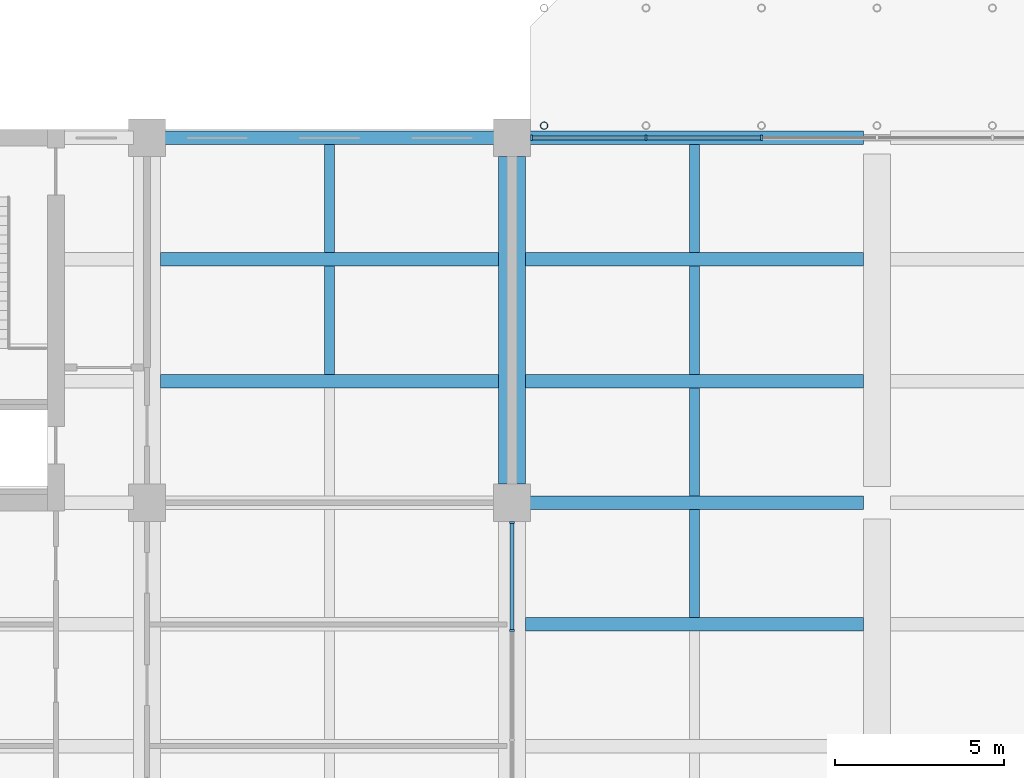
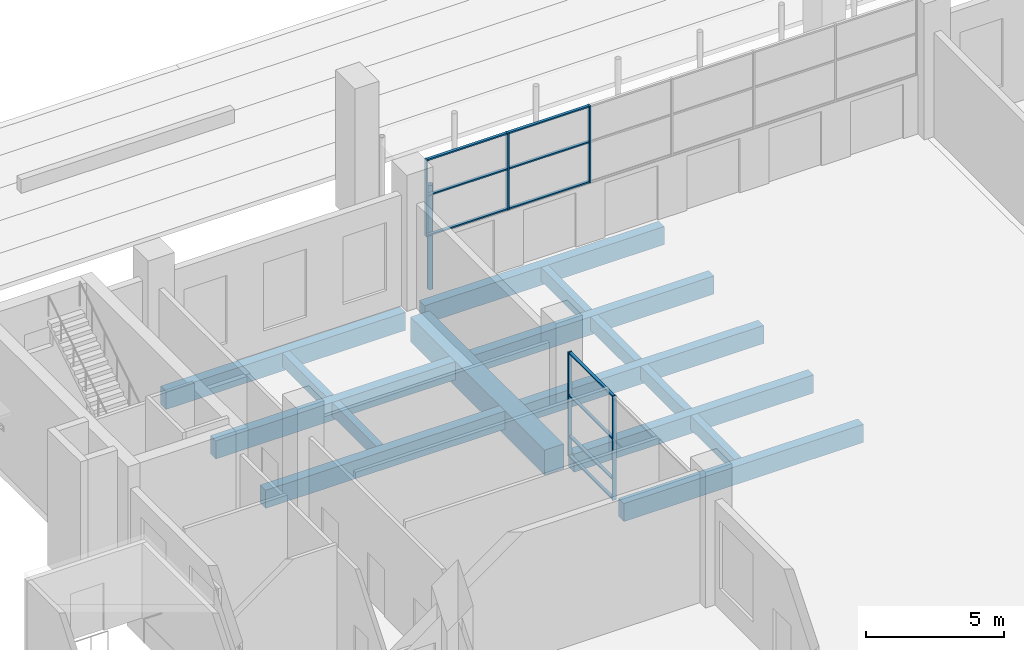
# One storey, part 34 of 71: 16 members, 15 beams, 2 elements without a shape of their own.
"""IFC4 building model written with IfcOpenShell, lengths in metres."""

from ifc_helpers import new_model, si_unit, direction, frame, origin, origin_2d, place, context, subcontext, project, spatial, rectangle, hollow_circle, extrude, material, layer, layer_set, material_profile, profile_set, type_object, element, aggregate, save


model = new_model("IFC4")

# Units and contexts
model_context = context("Model", 3, precision=1e-05, world=origin(), true_north=direction((0.0, 1.0)))
body_context = subcontext(model_context, "Body", "Model", "MODEL_VIEW")
ifc_project = project(units=[si_unit("LENGTHUNIT", "METRE"), si_unit("AREAUNIT", "SQUARE_METRE"), si_unit("VOLUMEUNIT", "CUBIC_METRE"), si_unit("PLANEANGLEUNIT", "RADIAN"), si_unit("MASSUNIT", "GRAM", prefix="KILO")], contexts=[model_context])

# Site, building, storey
site_placement = place(None, origin())
site = spatial("IfcSite", under=ifc_project, at=site_placement, CompositionType="ELEMENT")
building_placement = place(site_placement, origin())
building = spatial("IfcBuilding", under=site, at=building_placement, Name="Basin Gate Institute", CompositionType="ELEMENT")
storey_placement = place(building_placement, origin())
storey = spatial("IfcBuildingStorey", under=building, at=storey_placement, Name="L00", CompositionType="ELEMENT", Elevation=0.0)

# Curtain wall, members
ifc_material_1 = material(Name="Aluminium and glass curtain wall", Category="aluminium")
ifc_layer_1 = layer(ifc_material_1, 0.14990234375)
ifc_layer_set_1 = layer_set([ifc_layer_1], Name="Atrium curtain wall CW81")
curtain_wall_type_1 = type_object("IfcCurtainWallType", Name="Atrium curtain wall CW81", PredefinedType="NOTDEFINED", material=ifc_layer_set_1)
curtain_wall_1_placement = place(storey_placement, origin())
curtain_wall_1 = element("IfcCurtainWall", 1, at=curtain_wall_1_placement, inside=storey, type_object=curtain_wall_type_1, material=ifc_layer_set_1, Name="Atrium end screen N L00", PredefinedType="NOTDEFINED")
ifc_material_2 = material(Name="Aluminium mullion", Category="aluminium")
ifc_material_profile_1 = material_profile(ifc_material_2, rectangle(XDim=0.159912109375, YDim=0.06005859375, at=origin_2d()), Name="Atrium mullion MU81 160 x 60")
ifc_profile_set_1 = profile_set([ifc_material_profile_1], Name="Aluminium mullion")
member_type_1 = type_object("IfcMemberType", Name="Atrium mullion MU81", PredefinedType="MULLION", material=ifc_profile_set_1)
member_1_placement = place(storey_placement, frame((79.780029296875, 99.89990234375, 2.60009765625), z_axis=(0.0, 0.0, 1.0), x_axis=(0.0, 1.0, 0.0)))
member_1 = element("IfcMember", 2, at=member_1_placement, type_object=member_type_1, material=ifc_profile_set_1, Name="CW81 mullion 1", PredefinedType="MULLION", context=body_context, shape_type="SweptSolid", body=[
    extrude(rectangle(XDim=0.159912109375, YDim=0.06005859375, at=origin_2d()), origin(), (0.0, 0.0, 1.0), 3.39990234375),
])
member_2_placement = place(storey_placement, frame((83.166748046875, 99.89990234375, 2.60009765625), z_axis=(0.0, 0.0, 1.0), x_axis=(0.0, 1.0, 0.0)))
member_2 = element("IfcMember", 3, at=member_2_placement, type_object=member_type_1, material=ifc_profile_set_1, Name="CW81 mullion 2", PredefinedType="MULLION", context=body_context, shape_type="SweptSolid", body=[
    extrude(rectangle(XDim=0.159912109375, YDim=0.06005859375, at=origin_2d()), origin(), (0.0, 0.0, 1.0), 3.39990234375),
])
member_3_placement = place(storey_placement, frame((86.583251953125, 99.89990234375, 2.60009765625), z_axis=(0.0, 0.0, 1.0), x_axis=(0.0, 1.0, 0.0)))
member_3 = element("IfcMember", 4, at=member_3_placement, type_object=member_type_1, material=ifc_profile_set_1, Name="CW81 mullion 3", PredefinedType="MULLION", context=body_context, shape_type="SweptSolid", body=[
    extrude(rectangle(XDim=0.159912109375, YDim=0.06005859375, at=origin_2d()), origin(), (0.0, 0.0, 1.0), 3.39990234375),
])
ifc_material_3 = material(Name="Aluminium transom", Category="aluminium")
ifc_material_profile_2 = material_profile(ifc_material_3, rectangle(XDim=0.1201171875, YDim=0.06005859375, at=origin_2d()), Name="Atrium transom TR81 120 x 60")
ifc_profile_set_2 = profile_set([ifc_material_profile_2], Name="Aluminium transom")
member_type_2 = type_object("IfcMemberType", Name="Atrium transom TR81", PredefinedType="USERDEFINED", material=ifc_profile_set_2)
member_4_placement = place(storey_placement, frame((79.81005859375, 99.89990234375, 2.6298828125), z_axis=(1.0, 0.0, 0.0), x_axis=(0.0, 1.0, 0.0)))
member_4 = element("IfcMember", 5, at=member_4_placement, type_object=member_type_2, material=ifc_profile_set_2, Name="CW81 transom 1.1", ObjectType="TRANSOM", PredefinedType="USERDEFINED", context=body_context, shape_type="SweptSolid", body=[
    extrude(rectangle(XDim=0.1201171875, YDim=0.06005859375, at=origin_2d()), origin(), (0.0, 0.0, 1.0), 3.32666015625),
])
member_5_placement = place(storey_placement, frame((79.81005859375, 99.89990234375, 4.39990234375), z_axis=(1.0, 0.0, 0.0), x_axis=(0.0, 1.0, 0.0)))
member_5 = element("IfcMember", 6, at=member_5_placement, type_object=member_type_2, material=ifc_profile_set_2, Name="CW81 transom 1.2", ObjectType="TRANSOM", PredefinedType="USERDEFINED", context=body_context, shape_type="SweptSolid", body=[
    extrude(rectangle(XDim=0.1201171875, YDim=0.06005859375, at=origin_2d()), origin(), (0.0, 0.0, 1.0), 3.32666015625),
])
member_6_placement = place(storey_placement, frame((79.81005859375, 99.89990234375, 5.969970703125), z_axis=(1.0, 0.0, 0.0), x_axis=(0.0, 1.0, 0.0)))
member_6 = element("IfcMember", 7, at=member_6_placement, type_object=member_type_2, material=ifc_profile_set_2, Name="CW81 transom 1.3", ObjectType="TRANSOM", PredefinedType="USERDEFINED", context=body_context, shape_type="SweptSolid", body=[
    extrude(rectangle(XDim=0.1201171875, YDim=0.06005859375, at=origin_2d()), origin(), (0.0, 0.0, 1.0), 3.32666015625),
])
member_7_placement = place(storey_placement, frame((83.19677734375, 99.89990234375, 2.6298828125), z_axis=(1.0, 0.0, 0.0), x_axis=(0.0, 1.0, 0.0)))
member_7 = element("IfcMember", 8, at=member_7_placement, type_object=member_type_2, material=ifc_profile_set_2, Name="CW81 transom 2.1", ObjectType="TRANSOM", PredefinedType="USERDEFINED", context=body_context, shape_type="SweptSolid", body=[
    extrude(rectangle(XDim=0.1201171875, YDim=0.06005859375, at=origin_2d()), origin(), (0.0, 0.0, 1.0), 3.3564453125),
])
member_8_placement = place(storey_placement, frame((83.19677734375, 99.89990234375, 4.39990234375), z_axis=(1.0, 0.0, 0.0), x_axis=(0.0, 1.0, 0.0)))
member_8 = element("IfcMember", 9, at=member_8_placement, type_object=member_type_2, material=ifc_profile_set_2, Name="CW81 transom 2.2", ObjectType="TRANSOM", PredefinedType="USERDEFINED", context=body_context, shape_type="SweptSolid", body=[
    extrude(rectangle(XDim=0.1201171875, YDim=0.06005859375, at=origin_2d()), origin(), (0.0, 0.0, 1.0), 3.3564453125),
])
member_9_placement = place(storey_placement, frame((83.19677734375, 99.89990234375, 5.969970703125), z_axis=(1.0, 0.0, 0.0), x_axis=(0.0, 1.0, 0.0)))
member_9 = element("IfcMember", 10, at=member_9_placement, type_object=member_type_2, material=ifc_profile_set_2, Name="CW81 transom 2.3", ObjectType="TRANSOM", PredefinedType="USERDEFINED", context=body_context, shape_type="SweptSolid", body=[
    extrude(rectangle(XDim=0.1201171875, YDim=0.06005859375, at=origin_2d()), origin(), (0.0, 0.0, 1.0), 3.3564453125),
])
aggregate(curtain_wall_1, [member_1, member_2, member_3, member_4, member_5, member_6, member_7, member_8, member_9])

# Beams
ifc_material_4 = material(Name="Concrete 40 MPa", Category="concrete")
ifc_material_profile_3 = material_profile(ifc_material_4, rectangle(XDim=0.39990234375, YDim=0.800048828125, at=origin_2d()), Name="Beam B2 400 x 800")
ifc_profile_set_3 = profile_set([ifc_material_profile_3], Name="Concrete 40 MPa")
beam_type_1 = type_object("IfcBeamType", Name="Beam B2 R180", PredefinedType="BEAM", material=ifc_profile_set_3)
for number, where, z_axis, x_axis, name in (
    (11, (68.800048828125, 92.699951171875, -0.699951171875), (1.0, 0.0, 0.0), (0.0, 1.0, 0.0), "BEAM/L00/W/EW/17"),
    (12, (68.800048828125, 96.300048828125, -0.699951171875), (1.0, 0.0, 0.0), (0.0, 1.0, 0.0), "BEAM/L00/W/EW/18"),
    (13, (68.800048828125, 99.89990234375, -0.699951171875), (1.0, 0.0, 0.0), (0.0, 1.0, 0.0), "BEAM/L00/W/EW/19"),
    (14, (79.60009765625, 85.5, -0.699951171875), (1.0, 0.0, 0.0), (0.0, 1.0, 0.0), "BEAM/L00/CAN/W/15"),
    (15, (79.60009765625, 89.10009765625, -0.699951171875), (1.0, 0.0, 0.0), (0.0, 1.0, 0.0), "BEAM/L00/CAN/W/16"),
    (16, (79.60009765625, 92.699951171875, -0.699951171875), (1.0, 0.0, 0.0), (0.0, 1.0, 0.0), "BEAM/L00/CAN/W/17"),
    (17, (79.60009765625, 96.300048828125, -0.699951171875), (1.0, 0.0, 0.0), (0.0, 1.0, 0.0), "BEAM/L00/CAN/W/18"),
    (18, (79.60009765625, 99.89990234375, -0.699951171875), (1.0, 0.0, 0.0), (0.0, 1.0, 0.0), "BEAM/L00/CAN/W/19"),
):
    element("IfcBeam", number, at=place(storey_placement, frame(where, z_axis=z_axis, x_axis=x_axis)), inside=storey, type_object=beam_type_1, material=ifc_profile_set_3, Name=name, PredefinedType="BEAM", context=body_context, shape_type="SweptSolid", body=[
        extrude(rectangle(XDim=0.39990234375, YDim=0.800048828125, at=origin_2d()), origin(), (0.0, 0.0, 1.0), 10.0),
    ])

# Member
ifc_material_5 = material(Name="Structural steel SN490", Category="steel")
ifc_material_profile_4 = material_profile(ifc_material_5, hollow_circle(Radius=0.109619140625, WallThickness=0.008056640625, at=origin_2d()), Name="CHS219x8")
ifc_profile_set_4 = profile_set([ifc_material_profile_4], Name="Structural steel SN490")
member_type_3 = type_object("IfcMemberType", Name="Canopy post TD3", PredefinedType="POST", material=ifc_profile_set_4)
member_10_placement = place(storey_placement, frame((80.14990234375, 100.259521484375, -0.050048828125), z_axis=(0.0, 0.0, 1.0), x_axis=(1.0, 0.0, 0.0)))
element("IfcMember", 19, at=member_10_placement, inside=storey, type_object=member_type_3, material=ifc_profile_set_4, Name="Canopy post north 1", PredefinedType="POST", context=body_context, shape_type="SweptSolid", body=[
    extrude(hollow_circle(Radius=0.109619140625, WallThickness=0.008056640625, at=origin_2d()), origin(), (0.0, 0.0, 1.0), 4.60009765625),
])

# Beam
ifc_material_6 = material(Name="Concrete 50 MPa", Category="concrete")
ifc_material_profile_5 = material_profile(ifc_material_6, rectangle(XDim=0.800048828125, YDim=1.10009765625, at=origin_2d()), Name="Girder G2 800 x 1100")
ifc_profile_set_5 = profile_set([ifc_material_profile_5], Name="Concrete 50 MPa")
beam_type_2 = type_object("IfcBeamType", Name="Girder G2 R180", PredefinedType="BEAM", material=ifc_profile_set_5)
beam_1_placement = place(storey_placement, frame((79.199951171875, 89.64990234375, -0.85009765625), z_axis=(0.0, 1.0, 0.0), x_axis=(-1.0, 0.0, 0.0)))
element("IfcBeam", 20, at=beam_1_placement, inside=storey, type_object=beam_type_2, material=ifc_profile_set_5, Name="GIR/L00/W6/6", PredefinedType="BEAM", context=body_context, shape_type="SweptSolid", body=[
    extrude(rectangle(XDim=0.800048828125, YDim=1.10009765625, at=origin_2d()), origin(), (0.0, 0.0, 1.0), 9.7001953125),
])

# Curtain wall, members
ifc_material_7 = material(Name="Fire-resistant glazing in steel-free frame", Category="steel")
ifc_layer_2 = layer(ifc_material_7, 0.199951171875)
ifc_layer_set_2 = layer_set([ifc_layer_2], Name="Fire-resistant glazing in steel-free frame")
curtain_wall_type_2 = type_object("IfcCurtainWallType", Name="Atrium rated curtain wall CW3", PredefinedType="NOTDEFINED", material=ifc_layer_set_2)
curtain_wall_2_placement = place(storey_placement, origin())
curtain_wall_2 = element("IfcCurtainWall", 21, at=curtain_wall_2_placement, inside=storey, type_object=curtain_wall_type_2, material=ifc_layer_set_2, Name="Atrium rated curtain wall W wing atrium bay 5 L00", PredefinedType="NOTDEFINED")
ifc_material_8 = material(Name="Aluminium", Category="aluminium")
ifc_material_profile_6 = material_profile(ifc_material_8, rectangle(XDim=0.14990234375, YDim=0.06005859375, at=origin_2d()), Name="Mullion MU3 150 x 60")
ifc_profile_set_6 = profile_set([ifc_material_profile_6], Name="Aluminium")
member_type_4 = type_object("IfcMemberType", Name="Mullion MU3", PredefinedType="MULLION", material=ifc_profile_set_6)
member_11_placement = place(storey_placement, frame((79.199951171875, 85.316650390625, 0.0), z_axis=(0.0, 0.0, 1.0), x_axis=(-1.0, 0.0, 0.0)))
member_11 = element("IfcMember", 22, at=member_11_placement, type_object=member_type_4, material=ifc_profile_set_6, Name="CW3 mullion 3", PredefinedType="MULLION", context=body_context, shape_type="SweptSolid", body=[
    extrude(rectangle(XDim=0.14990234375, YDim=0.06005859375, at=origin_2d()), origin(), (0.0, 0.0, 1.0), 4.60009765625),
])
member_12_placement = place(storey_placement, frame((79.199951171875, 88.52001953125, 0.0), z_axis=(0.0, 0.0, 1.0), x_axis=(-1.0, 0.0, 0.0)))
member_12 = element("IfcMember", 23, at=member_12_placement, type_object=member_type_4, material=ifc_profile_set_6, Name="CW3 mullion 4", PredefinedType="MULLION", context=body_context, shape_type="SweptSolid", body=[
    extrude(rectangle(XDim=0.14990234375, YDim=0.06005859375, at=origin_2d()), origin(), (0.0, 0.0, 1.0), 4.60009765625),
])

# Beams
ifc_material_9 = material(Name="Concrete 40 MPa", Category="concrete")
ifc_material_profile_7 = material_profile(ifc_material_9, rectangle(XDim=0.300048828125, YDim=0.60009765625, at=origin_2d()), Name="Rib R2 300 x 600")
ifc_profile_set_7 = profile_set([ifc_material_profile_7], Name="Concrete 40 MPa")
beam_type_3 = type_object("IfcBeamType", Name="Rib R2 R180", PredefinedType="JOIST", material=ifc_profile_set_7)
beam_2_placement = place(storey_placement, frame((73.800048828125, 92.89990234375, -0.60009765625), z_axis=(0.0, 1.0, 0.0), x_axis=(-1.0, 0.0, 0.0)))
element("IfcBeam", 24, at=beam_2_placement, inside=storey, type_object=beam_type_3, material=ifc_profile_set_7, Name="BEAM/L00/W/RIB/17", PredefinedType="JOIST", context=body_context, shape_type="SweptSolid", body=[
    extrude(rectangle(XDim=0.300048828125, YDim=0.60009765625, at=origin_2d()), origin(), (0.0, 0.0, 1.0), 3.2001953125),
])
for number, where, z_axis, x_axis, name in (
    (25, (73.800048828125, 96.5, -0.60009765625), (0.0, 1.0, 0.0), (-1.0, 0.0, 0.0), "BEAM/L00/W/RIB/18"),
    (26, (84.60009765625, 85.699951171875, -0.60009765625), (0.0, 1.0, 0.0), (-1.0, 0.0, 0.0), "BEAM/L00/CAN/RIBW/15"),
    (27, (84.60009765625, 89.300048828125, -0.60009765625), (0.0, 1.0, 0.0), (-1.0, 0.0, 0.0), "BEAM/L00/CAN/RIBW/16"),
):
    element("IfcBeam", number, at=place(storey_placement, frame(where, z_axis=z_axis, x_axis=x_axis)), inside=storey, type_object=beam_type_3, material=ifc_profile_set_7, Name=name, PredefinedType="JOIST", context=body_context, shape_type="SweptSolid", body=[
        extrude(rectangle(XDim=0.300048828125, YDim=0.60009765625, at=origin_2d()), origin(), (0.0, 0.0, 1.0), 3.199951171875),
    ])
beam_3_placement = place(storey_placement, frame((84.60009765625, 92.89990234375, -0.60009765625), z_axis=(0.0, 1.0, 0.0), x_axis=(-1.0, 0.0, 0.0)))
element("IfcBeam", 28, at=beam_3_placement, inside=storey, type_object=beam_type_3, material=ifc_profile_set_7, Name="BEAM/L00/CAN/RIBW/17", PredefinedType="JOIST", context=body_context, shape_type="SweptSolid", body=[
    extrude(rectangle(XDim=0.300048828125, YDim=0.60009765625, at=origin_2d()), origin(), (0.0, 0.0, 1.0), 3.2001953125),
])
beam_4_placement = place(storey_placement, frame((84.60009765625, 96.5, -0.60009765625), z_axis=(0.0, 1.0, 0.0), x_axis=(-1.0, 0.0, 0.0)))
element("IfcBeam", 29, at=beam_4_placement, inside=storey, type_object=beam_type_3, material=ifc_profile_set_7, Name="BEAM/L00/CAN/RIBW/18", PredefinedType="JOIST", context=body_context, shape_type="SweptSolid", body=[
    extrude(rectangle(XDim=0.300048828125, YDim=0.60009765625, at=origin_2d()), origin(), (0.0, 0.0, 1.0), 3.199951171875),
])

# Member
ifc_material_10 = material(Name="Aluminium", Category="aluminium")
ifc_material_profile_8 = material_profile(ifc_material_10, rectangle(XDim=0.1201171875, YDim=0.06005859375, at=origin_2d()), Name="Transom TR3 120 x 60")
ifc_profile_set_8 = profile_set([ifc_material_profile_8], Name="Aluminium")
member_type_5 = type_object("IfcMemberType", Name="Transom TR3", PredefinedType="USERDEFINED", material=ifc_profile_set_8)
member_13_placement = place(storey_placement, frame((79.199951171875, 85.3466796875, 0.030029296875), z_axis=(0.0, 1.0, 0.0), x_axis=(-1.0, 0.0, 0.0)))
member_13 = element("IfcMember", 30, at=member_13_placement, type_object=member_type_5, material=ifc_profile_set_8, Name="CW3 transom 3.1", ObjectType="TRANSOM", PredefinedType="USERDEFINED", context=body_context, shape_type="SweptSolid", body=[
    extrude(rectangle(XDim=0.1201171875, YDim=0.06005859375, at=origin_2d()), origin(), (0.0, 0.0, 1.0), 3.143310546875),
])

member_14_placement = place(storey_placement, frame((79.199951171875, 85.3466796875, 0.89990234375), z_axis=(0.0, 1.0, 0.0), x_axis=(-1.0, 0.0, 0.0)))
member_14 = element("IfcMember", 31, at=member_14_placement, type_object=member_type_5, material=ifc_profile_set_8, Name="CW3 transom 3.2", ObjectType="TRANSOM", PredefinedType="USERDEFINED", context=body_context, shape_type="SweptSolid", body=[
    extrude(rectangle(XDim=0.1201171875, YDim=0.06005859375, at=origin_2d()), origin(), (0.0, 0.0, 1.0), 3.143310546875),
])

member_15_placement = place(storey_placement, frame((79.199951171875, 85.3466796875, 2.699951171875), z_axis=(0.0, 1.0, 0.0), x_axis=(-1.0, 0.0, 0.0)))
member_15 = element("IfcMember", 32, at=member_15_placement, type_object=member_type_5, material=ifc_profile_set_8, Name="CW3 transom 3.3", ObjectType="TRANSOM", PredefinedType="USERDEFINED", context=body_context, shape_type="SweptSolid", body=[
    extrude(rectangle(XDim=0.1201171875, YDim=0.06005859375, at=origin_2d()), origin(), (0.0, 0.0, 1.0), 3.143310546875),
])

member_16_placement = place(storey_placement, frame((79.199951171875, 85.3466796875, 4.570068359375), z_axis=(0.0, 1.0, 0.0), x_axis=(-1.0, 0.0, 0.0)))
member_16 = element("IfcMember", 33, at=member_16_placement, type_object=member_type_5, material=ifc_profile_set_8, Name="CW3 transom 3.4", ObjectType="TRANSOM", PredefinedType="USERDEFINED", context=body_context, shape_type="SweptSolid", body=[
    extrude(rectangle(XDim=0.1201171875, YDim=0.06005859375, at=origin_2d()), origin(), (0.0, 0.0, 1.0), 3.143310546875),
])

aggregate(curtain_wall_2, [member_11, member_12, member_13, member_14, member_15, member_16])

save(model, "model.ifc")
